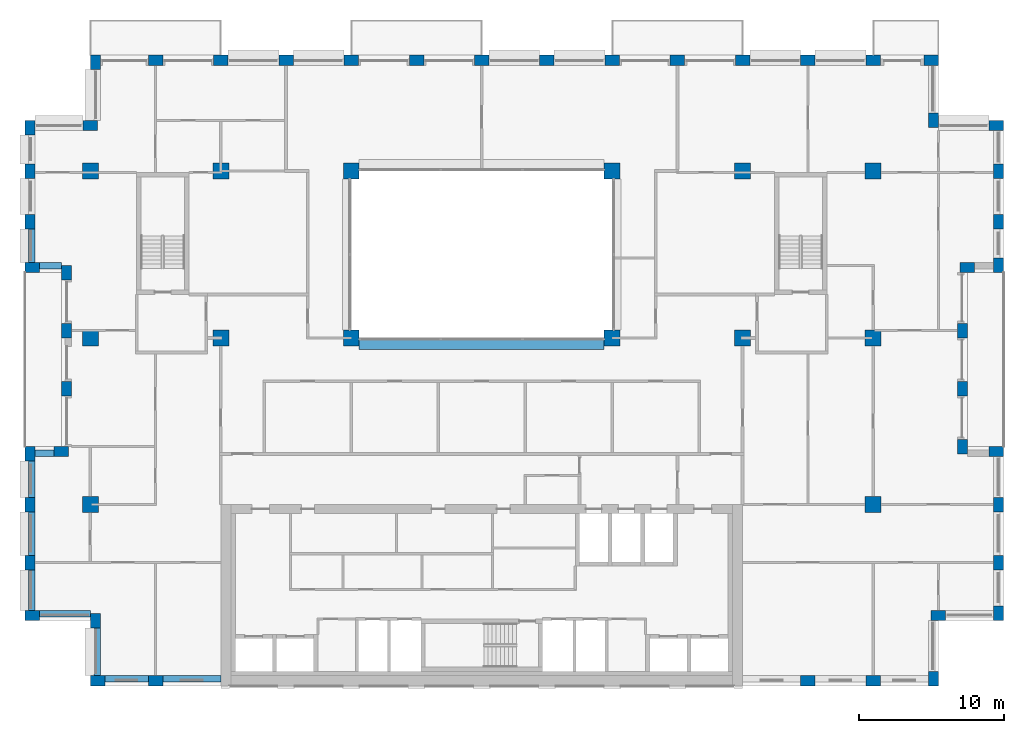
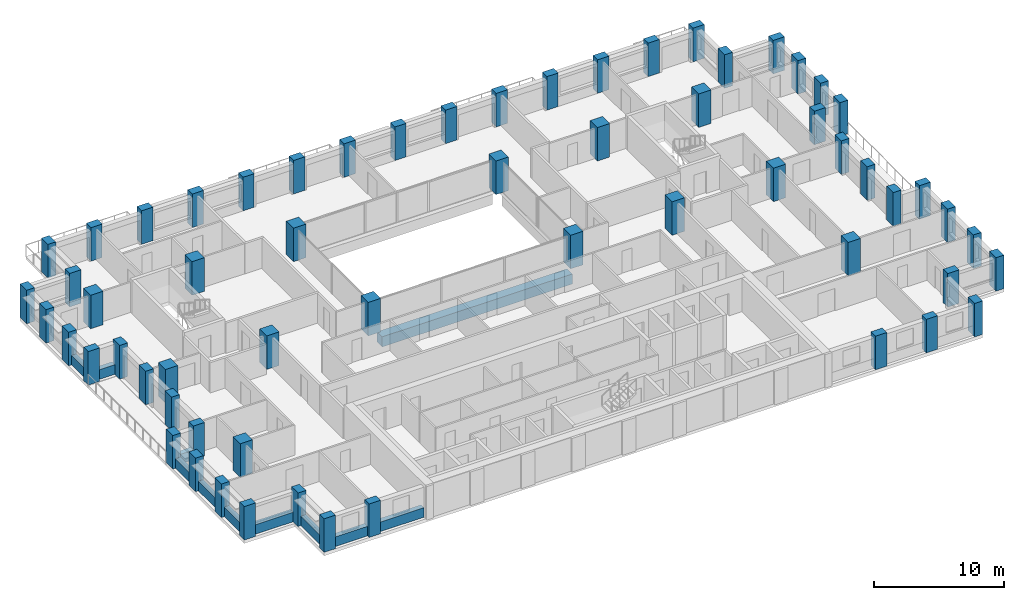
# One storey, part 1 of 16: 61 columns, 11 beams.
"""IFC4 building model written with IfcOpenShell, lengths in metres."""

from ifc_helpers import new_model, si_unit, direction, frame, origin, origin_2d, place, context, subcontext, project, spatial, rectangle, extrude, material, material_profile, profile_set, type_object, element, save


model = new_model("IFC4")

# Units and contexts
model_context = context("Model", 3, precision=1e-05, world=origin(), true_north=direction((0.0, 1.0)))
body_context = subcontext(model_context, "Body", "Model", "MODEL_VIEW")
ifc_project = project(units=[si_unit("LENGTHUNIT", "METRE"), si_unit("AREAUNIT", "SQUARE_METRE"), si_unit("VOLUMEUNIT", "CUBIC_METRE"), si_unit("PLANEANGLEUNIT", "RADIAN"), si_unit("MASSUNIT", "GRAM", prefix="KILO")], contexts=[model_context])

# Site, building, storey
site_placement = place(None, origin())
site = spatial("IfcSite", under=ifc_project, at=site_placement, CompositionType="ELEMENT")
building_placement = place(site_placement, origin())
building = spatial("IfcBuilding", under=site, at=building_placement, Name="Brigalow Station Residences", CompositionType="ELEMENT")
storey_placement = place(building_placement, frame((0.0, 0.0, 163.35009765625)))
storey = spatial("IfcBuildingStorey", under=building, at=storey_placement, Name="L47", CompositionType="ELEMENT", Elevation=163.35009765625)

# Columns
ifc_material_1 = material(Name="Concrete C65", Category="concrete")
ifc_material_profile_1 = material_profile(ifc_material_1, rectangle(XDim=1.10009765625, YDim=1.10009765625, at=origin_2d()), Name="RC1100x1100")
ifc_profile_set_1 = profile_set([ifc_material_profile_1], Name="Concrete C65")
column_type_1 = type_object("IfcColumnType", Name="COLUMN 1100x1100 C65", PredefinedType="COLUMN", material=ifc_profile_set_1)
for number, where, z_axis, x_axis, name in (
    (1, (9.0, 24.0, 0.0), (0.0, 0.0, 1.0), (1.0, 0.0, 0.0), "COLUMN C1 L47"),
    (2, (18.0, 24.0, 0.0), (0.0, 0.0, 1.0), (1.0, 0.0, 0.0), "COLUMN C2 L47"),
    (3, (27.0, 24.0, 0.0), (0.0, 0.0, 1.0), (1.0, 0.0, 0.0), "COLUMN C3 L47"),
    (4, (45.0, 24.0, 0.0), (0.0, 0.0, 1.0), (1.0, 0.0, 0.0), "COLUMN C5 L47"),
    (5, (54.0, 24.0, 0.0), (0.0, 0.0, 1.0), (1.0, 0.0, 0.0), "COLUMN C6 L47"),
    (6, (63.0, 24.0, 0.0), (0.0, 0.0, 1.0), (1.0, 0.0, 0.0), "COLUMN C7 L47"),
    (7, (9.0, 35.5, 0.0), (0.0, 0.0, 1.0), (1.0, 0.0, 0.0), "COLUMN D1 L47"),
    (8, (18.0, 35.5, 0.0), (0.0, 0.0, 1.0), (1.0, 0.0, 0.0), "COLUMN D2 L47"),
    (9, (27.0, 35.5, 0.0), (0.0, 0.0, 1.0), (1.0, 0.0, 0.0), "COLUMN D3 L47"),
    (10, (45.0, 35.5, 0.0), (0.0, 0.0, 1.0), (1.0, 0.0, 0.0), "COLUMN D5 L47"),
    (11, (54.0, 35.5, 0.0), (0.0, 0.0, 1.0), (1.0, 0.0, 0.0), "COLUMN D6 L47"),
    (12, (63.0, 35.5, 0.0), (0.0, 0.0, 1.0), (1.0, 0.0, 0.0), "COLUMN D7 L47"),
    (13, (9.0, 12.5, 0.0), (0.0, 0.0, 1.0), (1.0, 0.0, 0.0), "COLUMN B1 L47"),
    (14, (63.0, 12.5, 0.0), (0.0, 0.0, 1.0), (1.0, 0.0, 0.0), "COLUMN B7 L47"),
):
    element("IfcColumn", number, at=place(storey_placement, frame(where, z_axis=z_axis, x_axis=x_axis)), inside=storey, type_object=column_type_1, Name=name, PredefinedType="COLUMN", context=body_context, shape_type="SweptSolid", body=[
        extrude(rectangle(XDim=1.10009765625, YDim=1.10009765625, at=origin_2d()), origin(), (0.0, 0.0, 1.0), 3.14990234375),
    ])
ifc_material_2 = material(Name="Concrete C65", Category="concrete")
ifc_material_profile_2 = material_profile(ifc_material_2, rectangle(XDim=1.0, YDim=0.699951171875, at=origin_2d()), Name="RC1000x700")
ifc_profile_set_2 = profile_set([ifc_material_profile_2], Name="Concrete C65")
column_type_2 = type_object("IfcColumnType", Name="PIER 1000x700 C65", PredefinedType="USERDEFINED", material=ifc_profile_set_2)
for number, where, z_axis, x_axis, name in (
    (15, (9.5, 0.35009765625, 0.0), (0.0, 0.0, 1.0), (1.0, 0.0, 0.0), "PIER S-1 L47"),
    (16, (13.5, 0.35009765625, 0.0), (0.0, 0.0, 1.0), (1.0, 0.0, 0.0), "PIER S-2 L47"),
    (17, (58.5, 0.35009765625, 0.0), (0.0, 0.0, 1.0), (1.0, 0.0, 0.0), "PIER S-12 L47"),
    (18, (63.0, 0.35009765625, 0.0), (0.0, 0.0, 1.0), (1.0, 0.0, 0.0), "PIER S-13 L47"),
    (19, (67.14990234375, 0.5, 0.0), (0.0, 0.0, 1.0), (0.0, 1.0, 0.0), "PIER SE1-1 L47"),
    (20, (67.5, 4.85009765625, 0.0), (0.0, 0.0, 1.0), (1.0, 0.0, 0.0), "PIER SE2-1 L47"),
    (21, (71.64990234375, 5.0, 0.0), (0.0, 0.0, 1.0), (0.0, 1.0, 0.0), "PIER E1-1 L47"),
    (22, (71.64990234375, 8.5, 0.0), (0.0, 0.0, 1.0), (0.0, 1.0, 0.0), "PIER E1-2 L47"),
    (23, (71.64990234375, 12.5, 0.0), (0.0, 0.0, 1.0), (0.0, 1.0, 0.0), "PIER E1-3 L47"),
    (24, (71.5, 16.14990234375, 0.0), (0.0, 0.0, 1.0), (-1.0, 0.0, 0.0), "PIER EL1-1 L47"),
    (25, (69.14990234375, 16.5, 0.0), (0.0, 0.0, 1.0), (0.0, 1.0, 0.0), "PIER EL2-1 L47"),
    (26, (69.14990234375, 20.5, 0.0), (0.0, 0.0, 1.0), (0.0, 1.0, 0.0), "PIER EL2-2 L47"),
    (27, (69.14990234375, 24.5, 0.0), (0.0, 0.0, 1.0), (0.0, 1.0, 0.0), "PIER EL2-3 L47"),
    (28, (69.5, 28.85009765625, 0.0), (0.0, 0.0, 1.0), (1.0, 0.0, 0.0), "PIER EL3-1 L47"),
    (29, (71.64990234375, 29.0, 0.0), (0.0, 0.0, 1.0), (0.0, 1.0, 0.0), "PIER E2-1 L47"),
    (30, (71.64990234375, 32.0, 0.0), (0.0, 0.0, 1.0), (0.0, 1.0, 0.0), "PIER E2-2 L47"),
    (31, (71.64990234375, 35.5, 0.0), (0.0, 0.0, 1.0), (0.0, 1.0, 0.0), "PIER E2-3 L47"),
    (32, (71.5, 38.64990234375, 0.0), (0.0, 0.0, 1.0), (-1.0, 0.0, 0.0), "PIER NE1-1 L47"),
    (33, (67.14990234375, 39.0, 0.0), (0.0, 0.0, 1.0), (0.0, 1.0, 0.0), "PIER NE2-1 L47"),
    (34, (67.0, 43.14990234375, 0.0), (0.0, 0.0, 1.0), (-1.0, 0.0, 0.0), "PIER N-1 L47"),
    (35, (63.0, 43.14990234375, 0.0), (0.0, 0.0, 1.0), (-1.0, 0.0, 0.0), "PIER N-2 L47"),
    (36, (58.5, 43.14990234375, 0.0), (0.0, 0.0, 1.0), (-1.0, 0.0, 0.0), "PIER N-3 L47"),
    (37, (54.0, 43.14990234375, 0.0), (0.0, 0.0, 1.0), (-1.0, 0.0, 0.0), "PIER N-4 L47"),
    (38, (49.5, 43.14990234375, 0.0), (0.0, 0.0, 1.0), (-1.0, 0.0, 0.0), "PIER N-5 L47"),
    (39, (45.0, 43.14990234375, 0.0), (0.0, 0.0, 1.0), (-1.0, 0.0, 0.0), "PIER N-6 L47"),
    (40, (40.5, 43.14990234375, 0.0), (0.0, 0.0, 1.0), (-1.0, 0.0, 0.0), "PIER N-7 L47"),
    (41, (36.0, 43.14990234375, 0.0), (0.0, 0.0, 1.0), (-1.0, 0.0, 0.0), "PIER N-8 L47"),
    (42, (31.5, 43.14990234375, 0.0), (0.0, 0.0, 1.0), (-1.0, 0.0, 0.0), "PIER N-9 L47"),
    (43, (27.0, 43.14990234375, 0.0), (0.0, 0.0, 1.0), (-1.0, 0.0, 0.0), "PIER N-10 L47"),
    (44, (22.5, 43.14990234375, 0.0), (0.0, 0.0, 1.0), (-1.0, 0.0, 0.0), "PIER N-11 L47"),
    (45, (18.0, 43.14990234375, 0.0), (0.0, 0.0, 1.0), (-1.0, 0.0, 0.0), "PIER N-12 L47"),
    (46, (13.5, 43.14990234375, 0.0), (0.0, 0.0, 1.0), (-1.0, 0.0, 0.0), "PIER N-13 L47"),
    (47, (9.35009765625, 43.0, 0.0), (0.0, 0.0, 1.0), (0.0, -1.0, 0.0), "PIER NW1-1 L47"),
    (48, (9.0, 38.64990234375, 0.0), (0.0, 0.0, 1.0), (-1.0, 0.0, 0.0), "PIER NW2-1 L47"),
    (49, (4.85009765625, 38.5, 0.0), (0.0, 0.0, 1.0), (0.0, -1.0, 0.0), "PIER W2-1 L47"),
    (50, (4.85009765625, 35.5, 0.0), (0.0, 0.0, 1.0), (0.0, -1.0, 0.0), "PIER W2-2 L47"),
    (51, (4.85009765625, 32.0, 0.0), (0.0, 0.0, 1.0), (0.0, -1.0, 0.0), "PIER W2-3 L47"),
    (52, (5.0, 28.85009765625, 0.0), (0.0, 0.0, 1.0), (1.0, 0.0, 0.0), "PIER WL1-1 L47"),
    (53, (7.35009765625, 28.5, 0.0), (0.0, 0.0, 1.0), (0.0, -1.0, 0.0), "PIER WL2-1 L47"),
    (54, (7.35009765625, 24.5, 0.0), (0.0, 0.0, 1.0), (0.0, -1.0, 0.0), "PIER WL2-2 L47"),
    (55, (7.35009765625, 20.5, 0.0), (0.0, 0.0, 1.0), (0.0, -1.0, 0.0), "PIER WL2-3 L47"),
    (56, (7.0, 16.14990234375, 0.0), (0.0, 0.0, 1.0), (-1.0, 0.0, 0.0), "PIER WL3-1 L47"),
    (57, (4.85009765625, 16.0, 0.0), (0.0, 0.0, 1.0), (0.0, -1.0, 0.0), "PIER W1-1 L47"),
    (58, (4.85009765625, 12.5, 0.0), (0.0, 0.0, 1.0), (0.0, -1.0, 0.0), "PIER W1-2 L47"),
    (59, (4.85009765625, 8.5, 0.0), (0.0, 0.0, 1.0), (0.0, -1.0, 0.0), "PIER W1-3 L47"),
    (60, (5.0, 4.85009765625, 0.0), (0.0, 0.0, 1.0), (1.0, 0.0, 0.0), "PIER SW1-1 L47"),
    (61, (9.35009765625, 4.5, 0.0), (0.0, 0.0, 1.0), (0.0, -1.0, 0.0), "PIER SW2-1 L47"),
):
    element("IfcColumn", number, at=place(storey_placement, frame(where, z_axis=z_axis, x_axis=x_axis)), inside=storey, type_object=column_type_2, Name=name, ObjectType="PIER", PredefinedType="USERDEFINED", context=body_context, shape_type="SweptSolid", body=[
        extrude(rectangle(XDim=1.0, YDim=0.699951171875, at=origin_2d()), origin(), (0.0, 0.0, 1.0), 3.14990234375),
    ])

# Beams
ifc_material_3 = material(Name="Concrete C65", Category="concrete")
ifc_material_profile_3 = material_profile(ifc_material_3, rectangle(XDim=0.800048828125, YDim=0.949951171875, at=origin_2d()), Name="RC800x950")
ifc_profile_set_3 = profile_set([ifc_material_profile_3], Name="Concrete C65")
beam_type_1 = type_object("IfcBeamType", Name="ATRIUM EDGE GIRDER OVER 13.5 M SPAN 800x950 C65", PredefinedType="BEAM", material=ifc_profile_set_3)
beam_1_placement = place(storey_placement, frame((27.550048828125, 23.60009765625, -0.795166015625), z_axis=(1.0, 0.0, 0.0), x_axis=(0.0, 1.0, 0.0)))
element("IfcBeam", 62, at=beam_1_placement, inside=storey, type_object=beam_type_1, Name="ATRIUM EDGE GIRDER C L47", PredefinedType="BEAM", context=body_context, shape_type="SweptSolid", body=[
    extrude(rectangle(XDim=0.800048828125, YDim=0.949951171875, at=origin_2d()), origin(), (0.0, 0.0, 1.0), 16.89990234375),
])
ifc_material_4 = material(Name="Concrete C50", Category="concrete")
ifc_material_profile_4 = material_profile(ifc_material_4, rectangle(XDim=0.449951171875, YDim=0.89990234375, at=origin_2d()), Name="RC450x900")
ifc_profile_set_4 = profile_set([ifc_material_profile_4], Name="Concrete C50")
beam_type_2 = type_object("IfcBeamType", Name="SPANDREL BEAM 450x900 C50", PredefinedType="SPANDREL", material=ifc_profile_set_4)
beam_2_placement = place(storey_placement, frame((10.0, 0.47509765625, 0.449951171875), z_axis=(1.0, 0.0, 0.0), x_axis=(0.0, 1.0, 0.0)))
element("IfcBeam", 63, at=beam_2_placement, inside=storey, type_object=beam_type_2, Name="L47/spandrel/W-L47-1", PredefinedType="SPANDREL", context=body_context, shape_type="SweptSolid", body=[
    extrude(rectangle(XDim=0.449951171875, YDim=0.89990234375, at=origin_2d()), origin(), (0.0, 0.0, 1.0), 3.0),
])
beam_3_placement = place(storey_placement, frame((14.0, 0.47509765625, 0.449951171875), z_axis=(1.0, 0.0, 0.0), x_axis=(0.0, 1.0, 0.0)))
element("IfcBeam", 64, at=beam_3_placement, inside=storey, type_object=beam_type_2, Name="L47/spandrel/W-L47-2", PredefinedType="SPANDREL", context=body_context, shape_type="SweptSolid", body=[
    extrude(rectangle(XDim=0.449951171875, YDim=0.89990234375, at=origin_2d()), origin(), (0.0, 0.0, 1.0), 4.0),
])
beam_4_placement = place(storey_placement, frame((4.97509765625, 31.5, 0.449951171875), z_axis=(0.0, -1.0, 0.0), x_axis=(1.0, 0.0, 0.0)))
element("IfcBeam", 65, at=beam_4_placement, inside=storey, type_object=beam_type_2, Name="L47/spandrel/W-L47-39", PredefinedType="SPANDREL", context=body_context, shape_type="SweptSolid", body=[
    extrude(rectangle(XDim=0.449951171875, YDim=0.89990234375, at=origin_2d()), origin(), (0.0, 0.0, 1.0), 2.300048828125),
])
beam_5_placement = place(storey_placement, frame((5.5, 28.97509765625, 0.449951171875), z_axis=(1.0, 0.0, 0.0), x_axis=(0.0, 1.0, 0.0)))
element("IfcBeam", 66, at=beam_5_placement, inside=storey, type_object=beam_type_2, Name="L47/spandrel/W-L47-40", PredefinedType="SPANDREL", context=body_context, shape_type="SweptSolid", body=[
    extrude(rectangle(XDim=0.449951171875, YDim=0.89990234375, at=origin_2d()), origin(), (0.0, 0.0, 1.0), 1.5),
])
beam_6_placement = place(storey_placement, frame((6.5, 16.02490234375, 0.449951171875), z_axis=(-1.0, 0.0, 0.0), x_axis=(0.0, -1.0, 0.0)))
element("IfcBeam", 67, at=beam_6_placement, inside=storey, type_object=beam_type_2, Name="L47/spandrel/W-L47-44", PredefinedType="SPANDREL", context=body_context, shape_type="SweptSolid", body=[
    extrude(rectangle(XDim=0.449951171875, YDim=0.89990234375, at=origin_2d()), origin(), (0.0, 0.0, 1.0), 1.300048828125),
])
beam_7_placement = place(storey_placement, frame((4.97509765625, 15.5, 0.449951171875), z_axis=(0.0, -1.0, 0.0), x_axis=(1.0, 0.0, 0.0)))
element("IfcBeam", 68, at=beam_7_placement, inside=storey, type_object=beam_type_2, Name="L47/spandrel/W-L47-45", PredefinedType="SPANDREL", context=body_context, shape_type="SweptSolid", body=[
    extrude(rectangle(XDim=0.449951171875, YDim=0.89990234375, at=origin_2d()), origin(), (0.0, 0.0, 1.0), 2.5),
])
beam_8_placement = place(storey_placement, frame((4.97509765625, 12.0, 0.449951171875), z_axis=(0.0, -1.0, 0.0), x_axis=(1.0, 0.0, 0.0)))
element("IfcBeam", 69, at=beam_8_placement, inside=storey, type_object=beam_type_2, Name="L47/spandrel/W-L47-46", PredefinedType="SPANDREL", context=body_context, shape_type="SweptSolid", body=[
    extrude(rectangle(XDim=0.449951171875, YDim=0.89990234375, at=origin_2d()), origin(), (0.0, 0.0, 1.0), 3.0),
])
beam_9_placement = place(storey_placement, frame((4.97509765625, 8.0, 0.449951171875), z_axis=(0.0, -1.0, 0.0), x_axis=(1.0, 0.0, 0.0)))
element("IfcBeam", 70, at=beam_9_placement, inside=storey, type_object=beam_type_2, Name="L47/spandrel/W-L47-47", PredefinedType="SPANDREL", context=body_context, shape_type="SweptSolid", body=[
    extrude(rectangle(XDim=0.449951171875, YDim=0.89990234375, at=origin_2d()), origin(), (0.0, 0.0, 1.0), 2.800048828125),
])
beam_10_placement = place(storey_placement, frame((5.5, 4.97509765625, 0.449951171875), z_axis=(1.0, 0.0, 0.0), x_axis=(0.0, 1.0, 0.0)))
element("IfcBeam", 71, at=beam_10_placement, inside=storey, type_object=beam_type_2, Name="L47/spandrel/W-L47-48", PredefinedType="SPANDREL", context=body_context, shape_type="SweptSolid", body=[
    extrude(rectangle(XDim=0.449951171875, YDim=0.89990234375, at=origin_2d()), origin(), (0.0, 0.0, 1.0), 3.5),
])
beam_11_placement = place(storey_placement, frame((9.47509765625, 4.0, 0.449951171875), z_axis=(0.0, -1.0, 0.0), x_axis=(1.0, 0.0, 0.0)))
element("IfcBeam", 72, at=beam_11_placement, inside=storey, type_object=beam_type_2, Name="L47/spandrel/W-L47-49", PredefinedType="SPANDREL", context=body_context, shape_type="SweptSolid", body=[
    extrude(rectangle(XDim=0.449951171875, YDim=0.89990234375, at=origin_2d()), origin(), (0.0, 0.0, 1.0), 3.300048828125),
])

save(model, "model.ifc")
